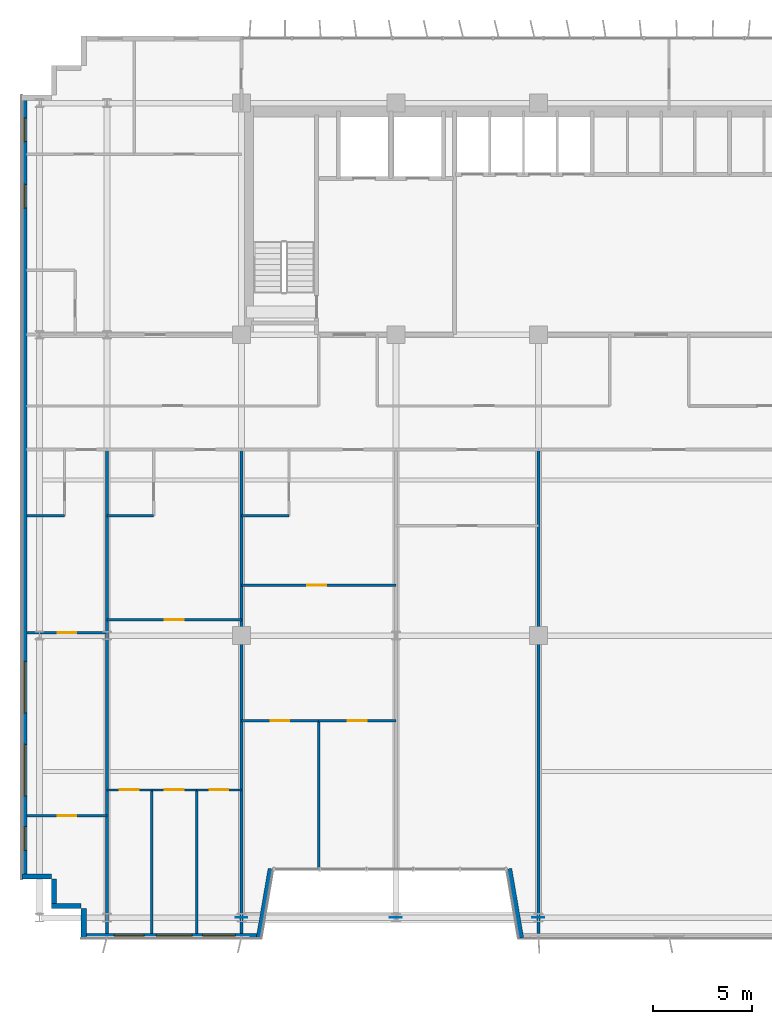
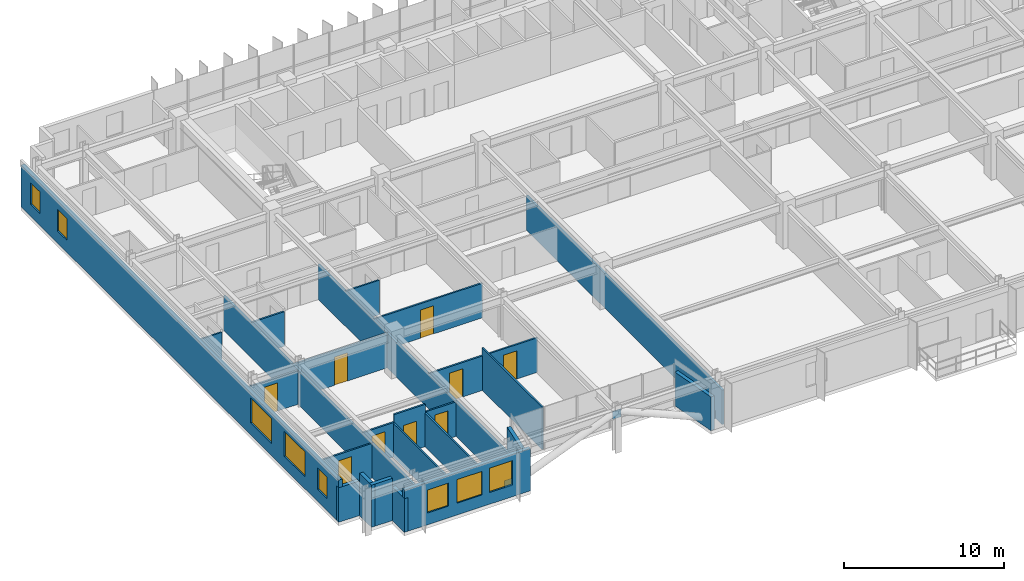
# One storey, part 18 of 25: 26 walls, 9 doors, 8 windows, 3 plates, 17 openings.
"""IFC4 building model written with IfcOpenShell, lengths in metres."""

from ifc_helpers import new_model, si_unit, direction, frame, frame_2d, origin, origin_2d, place, context, subcontext, project, spatial, rectangle, extrude, source, transform, mapped, material, layer, layer_set, type_object, element, fill, save


model = new_model("IFC4")

# Units and contexts
model_context = context("Model", 3, precision=1e-05, world=origin(), true_north=direction((0.0, 1.0)))
body_context = subcontext(model_context, "Body", "Model", "MODEL_VIEW")
ifc_project = project(units=[si_unit("LENGTHUNIT", "METRE"), si_unit("AREAUNIT", "SQUARE_METRE"), si_unit("VOLUMEUNIT", "CUBIC_METRE"), si_unit("PLANEANGLEUNIT", "RADIAN"), si_unit("MASSUNIT", "GRAM", prefix="KILO")], contexts=[model_context])

# Site, building, storey
site_placement = place(None, origin())
site = spatial("IfcSite", under=ifc_project, at=site_placement, CompositionType="ELEMENT")
building_placement = place(site_placement, origin())
building = spatial("IfcBuilding", under=site, at=building_placement, Name="Trelvane Seafront Commons", CompositionType="ELEMENT")
storey_placement = place(building_placement, frame((0.0, 0.0, 70.300048828125)))
storey = spatial("IfcBuildingStorey", under=building, at=storey_placement, Name="L18", CompositionType="ELEMENT", Elevation=70.300048828125)

# Plates
ifc_material_1 = material(Name="Steel SM355 (S355)", Category="steel")
ifc_layer_1 = layer(ifc_material_1, 0.031982421875, Name="STR-PLT-GUS2")
ifc_layer_set_1 = layer_set([ifc_layer_1], Name="Steel SM355 (S355)")
plate_type = type_object("IfcPlateType", Name="STR-PLT-GUS2", PredefinedType="SHEET", material=ifc_layer_set_1)
shared_shape_1 = source(origin(), body_context, "Body", "SweptSolid", [
    extrude(rectangle(XDim=0.60009765625, YDim=0.031982421875, at=origin_2d()), origin(), (0.0, 0.0, 1.0), 0.60009765625),
])
for number, where, z_axis, x_axis, name in (
    (1, (15.60009765625, 3.949951171875, -0.02001953125), (0.0, 0.0, 1.0), (1.0, 0.0, 0.0), "L18 Brace Connection Gusset Plate GP-168"),
    (2, (23.39990234375, 3.949951171875, 2.52001953125), (0.0, 0.0, 1.0), (1.0, 0.0, 0.0), "L18 Brace Connection Gusset Plate GP-169"),
    (3, (30.60009765625, 3.949951171875, -0.02001953125), (0.0, 0.0, 1.0), (1.0, 0.0, 0.0), "L18 Brace Connection Gusset Plate GP-170"),
):
    element("IfcPlate", number, at=place(storey_placement, frame(where, z_axis=z_axis, x_axis=x_axis)), inside=storey, type_object=plate_type, Name=name, PredefinedType="SHEET", context=body_context, shape_type="MappedRepresentation", body=[
        mapped(shared_shape_1, transform((0.0, 0.0, 0.0), x_axis=(1.0, 0.0, 0.0), y_axis=(0.0, 1.0, 0.0), z_axis=(0.0, 0.0, 1.0), scale=1.0)),
    ])

# Walls
ifc_material_2 = material(Name="Precast concrete C40/50", Category="concrete")
ifc_layer_2 = layer(ifc_material_2, 0.260009765625, Name="ARCH-WALL-EXT260")
ifc_layer_set_2 = layer_set([ifc_layer_2], Name="Precast concrete C40/50")
wall_type_1 = type_object("IfcWallType", Name="ARCH-WALL-EXT260", PredefinedType="SOLIDWALL", material=ifc_layer_set_2)
for number, where, z_axis, x_axis, name in (
    (4, (7.5, 4.530029296875, 0.0), (0.0, 0.0, 1.0), (-1.0, 0.0, 0.0), "EW-L18-00327"),
    (5, (6.1298828125, 4.39990234375, 0.0), (0.0, 0.0, 1.0), (0.0, 1.0, 0.0), "EW-L18-00328"),
):
    element("IfcWall", number, at=place(storey_placement, frame(where, z_axis=z_axis, x_axis=x_axis)), inside=storey, type_object=wall_type_1, Name=name, PredefinedType="SOLIDWALL", context=body_context, shape_type="SweptSolid", body=[
        extrude(rectangle(XDim=1.5, YDim=0.260009765625, at=frame_2d((0.75, 0.0))), origin(), (0.0, 0.0, 1.0), 3.219970703125),
    ])
wall_1_placement = place(storey_placement, frame((6.0, 6.030029296875, 0.0), z_axis=(0.0, 0.0, 1.0), x_axis=(-1.0, 0.0, 0.0)))
element("IfcWall", 6, at=wall_1_placement, inside=storey, type_object=wall_type_1, Name="EW-L18-00329", PredefinedType="SOLIDWALL", context=body_context, shape_type="SweptSolid", body=[
    extrude(rectangle(XDim=1.5, YDim=0.260009765625, at=frame_2d((0.75, 0.0))), origin(), (0.0, 0.0, 1.0), 2.6318359375),
])

# Wall, openings, windows
wall_2_placement = place(storey_placement, frame((4.6298828125, 5.89990234375, 0.0), z_axis=(0.0, 0.0, 1.0), x_axis=(0.0, 1.0, 0.0)))
wall_2 = element("IfcWall", 7, at=wall_2_placement, inside=storey, type_object=wall_type_1, Name="EW-L18-00330", PredefinedType="SOLIDWALL", context=body_context, shape_type="SweptSolid", body=[
    extrude(rectangle(XDim=39.60009765625, YDim=0.260009765625, at=frame_2d((19.800048828125, 0.0))), origin(), (0.0, 0.0, 1.0), 3.219970703125),
])
opening_1_placement = place(wall_2_placement, frame((1.449951171875, 0.0, 0.919921875)))
opening_1 = element("IfcOpeningElement", 8, at=opening_1_placement, cuts=wall_2, Name="Opening W05", PredefinedType="OPENING", context=body_context, shape_type="SweptSolid", body=[
    extrude(rectangle(XDim=1.199951171875, YDim=1.64990234375, at=frame_2d((0.60009765625, 0.824951171875))), frame((0.0, 0.139892578125, 0.0), z_axis=(0.0, -1.0, 0.0), x_axis=(1.0, 0.0, 0.0)), (0.0, 0.0, 1.0), 0.280029296875),
])
opening_2_placement = place(wall_2_placement, frame((4.199951171875, 0.0, 0.919921875)))
opening_2 = element("IfcOpeningElement", 9, at=opening_2_placement, cuts=wall_2, Name="Opening W04", PredefinedType="OPENING", context=body_context, shape_type="SweptSolid", body=[
    extrude(rectangle(XDim=2.60009765625, YDim=1.89990234375, at=frame_2d((1.300048828125, 0.949951171875))), frame((0.0, 0.139892578125, 0.0), z_axis=(0.0, -1.0, 0.0), x_axis=(1.0, 0.0, 0.0)), (0.0, 0.0, 1.0), 0.280029296875),
])
opening_3_placement = place(wall_2_placement, frame((8.39990234375, 0.0, 0.919921875)))
opening_3 = element("IfcOpeningElement", 10, at=opening_3_placement, cuts=wall_2, Name="Opening W04", PredefinedType="OPENING", context=body_context, shape_type="SweptSolid", body=[
    extrude(rectangle(XDim=2.60009765625, YDim=1.89990234375, at=frame_2d((1.300048828125, 0.949951171875))), frame((0.0, 0.139892578125, 0.0), z_axis=(0.0, -1.0, 0.0), x_axis=(1.0, 0.0, 0.0)), (0.0, 0.0, 1.0), 0.280029296875),
])
opening_4_placement = place(wall_2_placement, frame((33.89990234375, 0.0, 0.919921875)))
opening_4 = element("IfcOpeningElement", 11, at=opening_4_placement, cuts=wall_2, Name="Opening W05", PredefinedType="OPENING", context=body_context, shape_type="SweptSolid", body=[
    extrude(rectangle(XDim=1.199951171875, YDim=1.64990234375, at=frame_2d((0.60009765625, 0.824951171875))), frame((0.0, 0.139892578125, 0.0), z_axis=(0.0, -1.0, 0.0), x_axis=(1.0, 0.0, 0.0)), (0.0, 0.0, 1.0), 0.280029296875),
])
opening_5_placement = place(wall_2_placement, frame((37.25, 0.0, 0.919921875)))
opening_5 = element("IfcOpeningElement", 12, at=opening_5_placement, cuts=wall_2, Name="Opening W05", PredefinedType="OPENING", context=body_context, shape_type="SweptSolid", body=[
    extrude(rectangle(XDim=1.199951171875, YDim=1.64990234375, at=frame_2d((0.60009765625, 0.824951171875))), frame((0.0, 0.139892578125, 0.0), z_axis=(0.0, -1.0, 0.0), x_axis=(1.0, 0.0, 0.0)), (0.0, 0.0, 1.0), 0.280029296875),
])
ifc_material_3 = material(Name="Low-E coastal double glazing", Category="glass")
window_type_1 = type_object("IfcWindowType", Name="ARCH-WIN-W04", PartitioningType="SINGLE_PANEL", PredefinedType="WINDOW", material=ifc_material_3)
shared_shape_2 = source(origin(), body_context, "Body", "SweptSolid", [
    extrude(rectangle(XDim=2.60009765625, YDim=1.89990234375, at=frame_2d((1.300048828125, 0.949951171875))), frame((0.0, 0.030029296875, 0.0), z_axis=(0.0, -1.0, 0.0), x_axis=(1.0, 0.0, 0.0)), (0.0, 0.0, 1.0), 0.06005859375),
])
window_1_placement = place(opening_2_placement, origin())
window_1 = element("IfcWindow", 13, at=window_1_placement, inside=storey, type_object=window_type_1, Name="WIN-L18-EW-00379", OverallHeight=1.89990234375, OverallWidth=2.60009765625, PartitioningType="SINGLE_PANEL", PredefinedType="WINDOW", context=body_context, shape_type="MappedRepresentation", body=[
    mapped(shared_shape_2, transform((0.0, 0.0, 0.0), x_axis=(1.0, 0.0, 0.0), y_axis=(0.0, 1.0, 0.0), z_axis=(0.0, 0.0, 1.0), scale=1.0)),
])
fill(opening_2, window_1)
window_2_placement = place(opening_3_placement, origin())
window_2 = element("IfcWindow", 14, at=window_2_placement, inside=storey, type_object=window_type_1, Name="WIN-L18-EW-00380", OverallHeight=1.89990234375, OverallWidth=2.60009765625, PartitioningType="SINGLE_PANEL", PredefinedType="WINDOW", context=body_context, shape_type="MappedRepresentation", body=[
    mapped(shared_shape_2, transform((0.0, 0.0, 0.0), x_axis=(1.0, 0.0, 0.0), y_axis=(0.0, 1.0, 0.0), z_axis=(0.0, 0.0, 1.0), scale=1.0)),
])
fill(opening_3, window_2)
window_type_2 = type_object("IfcWindowType", Name="ARCH-WIN-W05", PartitioningType="SINGLE_PANEL", PredefinedType="WINDOW", material=ifc_material_3)
shared_shape_3 = source(origin(), body_context, "Body", "SweptSolid", [
    extrude(rectangle(XDim=1.199951171875, YDim=1.64990234375, at=frame_2d((0.60009765625, 0.824951171875))), frame((0.0, 0.030029296875, 0.0), z_axis=(0.0, -1.0, 0.0), x_axis=(1.0, 0.0, 0.0)), (0.0, 0.0, 1.0), 0.06005859375),
])
window_3_placement = place(opening_1_placement, origin())
window_3 = element("IfcWindow", 15, at=window_3_placement, inside=storey, type_object=window_type_2, Name="WIN-L18-EW-00378", OverallHeight=1.64990234375, OverallWidth=1.199951171875, PartitioningType="SINGLE_PANEL", PredefinedType="WINDOW", context=body_context, shape_type="MappedRepresentation", body=[
    mapped(shared_shape_3, transform((0.0, 0.0, 0.0), x_axis=(1.0, 0.0, 0.0), y_axis=(0.0, 1.0, 0.0), z_axis=(0.0, 0.0, 1.0), scale=1.0)),
])
fill(opening_1, window_3)
window_4_placement = place(opening_4_placement, origin())
window_4 = element("IfcWindow", 16, at=window_4_placement, inside=storey, type_object=window_type_2, Name="WIN-L18-EW-00381", OverallHeight=1.64990234375, OverallWidth=1.199951171875, PartitioningType="SINGLE_PANEL", PredefinedType="WINDOW", context=body_context, shape_type="MappedRepresentation", body=[
    mapped(shared_shape_3, transform((0.0, 0.0, 0.0), x_axis=(1.0, 0.0, 0.0), y_axis=(0.0, 1.0, 0.0), z_axis=(0.0, 0.0, 1.0), scale=1.0)),
])
fill(opening_4, window_4)
window_5_placement = place(opening_5_placement, origin())
window_5 = element("IfcWindow", 17, at=window_5_placement, inside=storey, type_object=window_type_2, Name="WIN-L18-EW-00382", OverallHeight=1.64990234375, OverallWidth=1.199951171875, PartitioningType="SINGLE_PANEL", PredefinedType="WINDOW", context=body_context, shape_type="MappedRepresentation", body=[
    mapped(shared_shape_3, transform((0.0, 0.0, 0.0), x_axis=(1.0, 0.0, 0.0), y_axis=(0.0, 1.0, 0.0), z_axis=(0.0, 0.0, 1.0), scale=1.0)),
])
fill(opening_5, window_5)

# Walls
for number, where, z_axis, x_axis, name in (
    (18, (29.72802734375, 2.922119140625, 0.0), (0.0, 0.0, 1.0), (-0.168923741424, 0.98562912375, 0.0), "EW-L18-00345"),
    (19, (17.072021484375, 6.422119140625, 0.0), (0.0, 0.0, 1.0), (-0.168990530437, -0.98561767467, 0.0), "EW-L18-00346"),
):
    element("IfcWall", number, at=place(storey_placement, frame(where, z_axis=z_axis, x_axis=x_axis)), inside=storey, type_object=wall_type_1, Name=name, PredefinedType="SOLIDWALL", context=body_context, shape_type="SweptSolid", body=[
        extrude(rectangle(XDim=3.551025390625, YDim=0.260009765625, at=frame_2d((1.775390625, 0.0))), origin(), (0.0, 0.0, 1.0), 2.570068359375),
    ])

# Wall, openings, windows
wall_3_placement = place(storey_placement, frame((16.60009765625, 3.030029296875, 0.0), z_axis=(0.0, 0.0, 1.0), x_axis=(-1.0, 0.0, 0.0)))
wall_3 = element("IfcWall", 20, at=wall_3_placement, inside=storey, type_object=wall_type_1, Name="EW-L18-00347", PredefinedType="SOLIDWALL", context=body_context, shape_type="SweptSolid", body=[
    extrude(rectangle(XDim=9.10009765625, YDim=0.260009765625, at=frame_2d((4.550048828125, 0.0))), origin(), (0.0, 0.0, 1.0), 3.219970703125),
])
opening_6_placement = place(wall_3_placement, frame((1.30810546875, 0.0, 0.89990234375)))
opening_6 = element("IfcOpeningElement", 21, at=opening_6_placement, cuts=wall_3, Name="Opening W07", PredefinedType="OPENING", context=body_context, shape_type="SweptSolid", body=[
    extrude(rectangle(XDim=1.64990234375, YDim=1.85009765625, at=frame_2d((0.824951171875, 0.925048828125))), frame((0.0, 0.139892578125, 0.0), z_axis=(0.0, -1.0, 0.0), x_axis=(1.0, 0.0, 0.0)), (0.0, 0.0, 1.0), 0.280029296875),
])
opening_7_placement = place(wall_3_placement, frame((3.5, 0.0, 0.89990234375)))
opening_7 = element("IfcOpeningElement", 22, at=opening_7_placement, cuts=wall_3, Name="Opening W01", PredefinedType="OPENING", context=body_context, shape_type="SweptSolid", body=[
    extrude(rectangle(XDim=1.800048828125, YDim=1.800048828125, at=frame_2d((0.89990234375, 0.89990234375))), frame((0.0, 0.139892578125, 0.0), z_axis=(0.0, -1.0, 0.0), x_axis=(1.0, 0.0, 0.0)), (0.0, 0.0, 1.0), 0.280029296875),
])
opening_8_placement = place(wall_3_placement, frame((5.9169921875, 0.0, 0.89990234375)))
opening_8 = element("IfcOpeningElement", 23, at=opening_8_placement, cuts=wall_3, Name="Opening W03", PredefinedType="OPENING", context=body_context, shape_type="SweptSolid", body=[
    extrude(rectangle(XDim=1.5, YDim=1.75, at=frame_2d((0.75, 0.875))), frame((0.0, 0.139892578125, 0.0), z_axis=(0.0, -1.0, 0.0), x_axis=(1.0, 0.0, 0.0)), (0.0, 0.0, 1.0), 0.280029296875),
])
window_type_3 = type_object("IfcWindowType", Name="ARCH-WIN-W03", PartitioningType="SINGLE_PANEL", PredefinedType="WINDOW", material=ifc_material_3)
shared_shape_4 = source(origin(), body_context, "Body", "SweptSolid", [
    extrude(rectangle(XDim=1.5, YDim=1.75, at=frame_2d((0.75, 0.875))), frame((0.0, 0.030029296875, 0.0), z_axis=(0.0, -1.0, 0.0), x_axis=(1.0, 0.0, 0.0)), (0.0, 0.0, 1.0), 0.06005859375),
])
window_6_placement = place(opening_8_placement, origin())
window_6 = element("IfcWindow", 24, at=window_6_placement, inside=storey, type_object=window_type_3, Name="WIN-L18-00394", OverallHeight=1.75, OverallWidth=1.5, PartitioningType="SINGLE_PANEL", PredefinedType="WINDOW", context=body_context, shape_type="MappedRepresentation", body=[
    mapped(shared_shape_4, transform((0.0, 0.0, 0.0), x_axis=(1.0, 0.0, 0.0), y_axis=(0.0, 1.0, 0.0), z_axis=(0.0, 0.0, 1.0), scale=1.0)),
])
fill(opening_8, window_6)
window_type_4 = type_object("IfcWindowType", Name="ARCH-WIN-W01", PartitioningType="SINGLE_PANEL", PredefinedType="WINDOW", material=ifc_material_3)
shared_shape_5 = source(origin(), body_context, "Body", "SweptSolid", [
    extrude(rectangle(XDim=1.800048828125, YDim=1.800048828125, at=frame_2d((0.89990234375, 0.89990234375))), frame((0.0, 0.030029296875, 0.0), z_axis=(0.0, -1.0, 0.0), x_axis=(1.0, 0.0, 0.0)), (0.0, 0.0, 1.0), 0.06005859375),
])
window_7_placement = place(opening_7_placement, origin())
window_7 = element("IfcWindow", 25, at=window_7_placement, inside=storey, type_object=window_type_4, Name="WIN-L18-00393", OverallHeight=1.800048828125, OverallWidth=1.800048828125, PartitioningType="SINGLE_PANEL", PredefinedType="WINDOW", context=body_context, shape_type="MappedRepresentation", body=[
    mapped(shared_shape_5, transform((0.0, 0.0, 0.0), x_axis=(1.0, 0.0, 0.0), y_axis=(0.0, 1.0, 0.0), z_axis=(0.0, 0.0, 1.0), scale=1.0)),
])
fill(opening_7, window_7)
window_type_5 = type_object("IfcWindowType", Name="ARCH-WIN-W07", PartitioningType="SINGLE_PANEL", PredefinedType="WINDOW", material=ifc_material_3)
shared_shape_6 = source(origin(), body_context, "Body", "SweptSolid", [
    extrude(rectangle(XDim=1.64990234375, YDim=1.85009765625, at=frame_2d((0.824951171875, 0.925048828125))), frame((0.0, 0.030029296875, 0.0), z_axis=(0.0, -1.0, 0.0), x_axis=(1.0, 0.0, 0.0)), (0.0, 0.0, 1.0), 0.06005859375),
])
window_8_placement = place(opening_6_placement, origin())
window_8 = element("IfcWindow", 26, at=window_8_placement, inside=storey, type_object=window_type_5, Name="WIN-L18-00392", OverallHeight=1.85009765625, OverallWidth=1.64990234375, PartitioningType="SINGLE_PANEL", PredefinedType="WINDOW", context=body_context, shape_type="MappedRepresentation", body=[
    mapped(shared_shape_6, transform((0.0, 0.0, 0.0), x_axis=(1.0, 0.0, 0.0), y_axis=(0.0, 1.0, 0.0), z_axis=(0.0, 0.0, 1.0), scale=1.0)),
])
fill(opening_6, window_8)

# Wall
wall_4_placement = place(storey_placement, frame((7.6298828125, 2.89990234375, 0.0), z_axis=(0.0, 0.0, 1.0), x_axis=(0.0, 1.0, 0.0)))
element("IfcWall", 27, at=wall_4_placement, inside=storey, type_object=wall_type_1, Name="EW-L18-00348", PredefinedType="SOLIDWALL", context=body_context, shape_type="SweptSolid", body=[
    extrude(rectangle(XDim=1.5, YDim=0.260009765625, at=frame_2d((0.75, 0.0))), origin(), (0.0, 0.0, 1.0), 2.570068359375),
])

# Wall, opening, door
ifc_material_4 = material(Name="Gypsum Drywall Acoustic Partition")
ifc_layer_3 = layer(ifc_material_4, 0.1201171875, Name="ARCH-WALL-PART120")
ifc_layer_set_3 = layer_set([ifc_layer_3], Name="Gypsum Drywall Acoustic Partition")
wall_type_2 = type_object("IfcWallType", Name="ARCH-WALL-PART120", PredefinedType="PARTITIONING", material=ifc_layer_set_3)
wall_5_placement = place(storey_placement, frame((4.760009765625, 18.35009765625, 0.0), z_axis=(0.0, 0.0, 1.0), x_axis=(1.0, 0.0, 0.0)))
wall_5 = element("IfcWall", 28, at=wall_5_placement, inside=storey, type_object=wall_type_2, Name="W-L18-U1-KL-067", PredefinedType="PARTITIONING", context=body_context, shape_type="SweptSolid", body=[
    extrude(rectangle(XDim=4.0400390625, YDim=0.1201171875, at=frame_2d((2.02001953125, 0.0))), origin(), (0.0, 0.0, 1.0), 2.570068359375),
])
opening_9_placement = place(wall_5_placement, frame((1.544921875, 0.0, 0.0)))
opening_9 = element("IfcOpeningElement", 29, at=opening_9_placement, cuts=wall_5, Name="Opening D-L18-32", PredefinedType="OPENING", context=body_context, shape_type="SweptSolid", body=[
    extrude(rectangle(XDim=0.949951171875, YDim=2.14990234375, at=frame_2d((0.47509765625, 1.074951171875))), frame((0.0, 0.070068359375, 0.0), z_axis=(0.0, -1.0, 0.0), x_axis=(1.0, 0.0, 0.0)), (0.0, 0.0, 1.0), 0.14013671875),
])
ifc_material_5 = material(Name="Acoustic timber door leaf", Category="wood")
door_type = type_object("IfcDoorType", Name="ARCH-DR-INT950", OperationType="NOTDEFINED", PredefinedType="DOOR", material=ifc_material_5)
shared_shape_7 = source(origin(), body_context, "Body", "SweptSolid", [
    extrude(rectangle(XDim=0.949951171875, YDim=2.14990234375, at=frame_2d((0.47509765625, 1.074951171875))), frame((0.0, 0.02490234375, 0.0), z_axis=(0.0, -1.0, 0.0), x_axis=(1.0, 0.0, 0.0)), (0.0, 0.0, 1.0), 0.050048828125),
])
door_1_placement = place(opening_9_placement, origin())
door_1 = element("IfcDoor", 30, at=door_1_placement, inside=storey, type_object=door_type, Name="L18 Door 32", OperationType="SINGLE_SWING_RIGHT", OverallHeight=2.14990234375, OverallWidth=0.949951171875, PredefinedType="DOOR", context=body_context, shape_type="MappedRepresentation", body=[
    mapped(shared_shape_7, transform((0.0, 0.0, 0.0), x_axis=(1.0, 0.0, 0.0), y_axis=(0.0, 1.0, 0.0), z_axis=(0.0, 0.0, 1.0), scale=1.0)),
])
fill(opening_9, door_1)

# Wall
wall_6_placement = place(storey_placement, frame((4.760009765625, 24.25, 0.0), z_axis=(0.0, 0.0, 1.0), x_axis=(1.0, 0.0, 0.0)))
element("IfcWall", 31, at=wall_6_placement, inside=storey, type_object=wall_type_2, Name="W-L18-U1-BS-069", PredefinedType="PARTITIONING", context=body_context, shape_type="SweptSolid", body=[
    extrude(rectangle(XDim=1.89990234375, YDim=0.1201171875, at=frame_2d((0.949951171875, 0.0))), origin(), (0.0, 0.0, 1.0), 2.6318359375),
])

# Wall, opening, door
wall_7_placement = place(storey_placement, frame((4.760009765625, 9.10009765625, 0.0), z_axis=(0.0, 0.0, 1.0), x_axis=(1.0, 0.0, 0.0)))
wall_7 = element("IfcWall", 32, at=wall_7_placement, inside=storey, type_object=wall_type_2, Name="W-L18-U1-YM-1-071", PredefinedType="PARTITIONING", context=body_context, shape_type="SweptSolid", body=[
    extrude(rectangle(XDim=4.0400390625, YDim=0.1201171875, at=frame_2d((2.02001953125, 0.0))), origin(), (0.0, 0.0, 1.0), 2.6318359375),
])
opening_10_placement = place(wall_7_placement, frame((1.544921875, 0.0, 0.0)))
opening_10 = element("IfcOpeningElement", 33, at=opening_10_placement, cuts=wall_7, Name="Opening D-L18-35", PredefinedType="OPENING", context=body_context, shape_type="SweptSolid", body=[
    extrude(rectangle(XDim=0.949951171875, YDim=2.14990234375, at=frame_2d((0.47509765625, 1.074951171875))), frame((0.0, 0.070068359375, 0.0), z_axis=(0.0, -1.0, 0.0), x_axis=(1.0, 0.0, 0.0)), (0.0, 0.0, 1.0), 0.14013671875),
])
door_2_placement = place(opening_10_placement, origin())
door_2 = element("IfcDoor", 34, at=door_2_placement, inside=storey, type_object=door_type, Name="L18 Door 35", OperationType="SINGLE_SWING_LEFT", OverallHeight=2.14990234375, OverallWidth=0.949951171875, PredefinedType="DOOR", context=body_context, shape_type="MappedRepresentation", body=[
    mapped(shared_shape_7, transform((0.0, 0.0, 0.0), x_axis=(1.0, 0.0, 0.0), y_axis=(0.0, 1.0, 0.0), z_axis=(0.0, 0.0, 1.0), scale=1.0)),
])
fill(opening_10, door_2)

wall_8_placement = place(storey_placement, frame((8.800048828125, 19.0, 0.0), z_axis=(0.0, 0.0, 1.0), x_axis=(1.0, 0.0, 0.0)))
wall_8 = element("IfcWall", 35, at=wall_8_placement, inside=storey, type_object=wall_type_2, Name="W-L18-U2-KL-072", PredefinedType="PARTITIONING", context=body_context, shape_type="SweptSolid", body=[
    extrude(rectangle(XDim=6.800048828125, YDim=0.1201171875, at=frame_2d((3.39990234375, 0.0))), origin(), (0.0, 0.0, 1.0), 2.6318359375),
])
opening_11_placement = place(wall_8_placement, frame((2.925048828125, 0.0, 0.0)))
opening_11 = element("IfcOpeningElement", 36, at=opening_11_placement, cuts=wall_8, Name="Opening D-L18-36", PredefinedType="OPENING", context=body_context, shape_type="SweptSolid", body=[
    extrude(rectangle(XDim=0.949951171875, YDim=2.14990234375, at=frame_2d((0.47509765625, 1.074951171875))), frame((0.0, 0.070068359375, 0.0), z_axis=(0.0, -1.0, 0.0), x_axis=(1.0, 0.0, 0.0)), (0.0, 0.0, 1.0), 0.14013671875),
])
door_3_placement = place(opening_11_placement, origin())
door_3 = element("IfcDoor", 37, at=door_3_placement, inside=storey, type_object=door_type, Name="L18 Door 36", OperationType="SINGLE_SWING_RIGHT", OverallHeight=2.14990234375, OverallWidth=0.949951171875, PredefinedType="DOOR", context=body_context, shape_type="MappedRepresentation", body=[
    mapped(shared_shape_7, transform((0.0, 0.0, 0.0), x_axis=(1.0, 0.0, 0.0), y_axis=(0.0, 1.0, 0.0), z_axis=(0.0, 0.0, 1.0), scale=1.0)),
])
fill(opening_11, door_3)

# Wall
wall_9_placement = place(storey_placement, frame((8.800048828125, 24.25, 0.0), z_axis=(0.0, 0.0, 1.0), x_axis=(1.0, 0.0, 0.0)))
element("IfcWall", 38, at=wall_9_placement, inside=storey, type_object=wall_type_2, Name="W-L18-U2-BS-074", PredefinedType="PARTITIONING", context=body_context, shape_type="SweptSolid", body=[
    extrude(rectangle(XDim=2.362060546875, YDim=0.1201171875, at=frame_2d((1.18115234375, 0.0))), origin(), (0.0, 0.0, 1.0), 2.6318359375),
])

# Wall, opening, door
wall_10_placement = place(storey_placement, frame((8.800048828125, 10.39990234375, 0.0), z_axis=(0.0, 0.0, 1.0), x_axis=(1.0, 0.0, 0.0)))
wall_10 = element("IfcWall", 39, at=wall_10_placement, inside=storey, type_object=wall_type_2, Name="W-L18-U2-YM-1-076", PredefinedType="PARTITIONING", context=body_context, shape_type="SweptSolid", body=[
    extrude(rectangle(XDim=2.266845703125, YDim=0.1201171875, at=frame_2d((1.13330078125, 0.0))), origin(), (0.0, 0.0, 1.0), 2.6318359375),
])
opening_12_placement = place(wall_10_placement, frame((0.657958984375, 0.0, 0.0)))
opening_12 = element("IfcOpeningElement", 40, at=opening_12_placement, cuts=wall_10, Name="Opening D-L18-39", PredefinedType="OPENING", context=body_context, shape_type="SweptSolid", body=[
    extrude(rectangle(XDim=0.949951171875, YDim=2.14990234375, at=frame_2d((0.47509765625, 1.074951171875))), frame((0.0, 0.070068359375, 0.0), z_axis=(0.0, -1.0, 0.0), x_axis=(1.0, 0.0, 0.0)), (0.0, 0.0, 1.0), 0.14013671875),
])
door_4_placement = place(opening_12_placement, origin())
door_4 = element("IfcDoor", 41, at=door_4_placement, inside=storey, type_object=door_type, Name="L18 Door 39", OperationType="SINGLE_SWING_LEFT", OverallHeight=2.14990234375, OverallWidth=0.949951171875, PredefinedType="DOOR", context=body_context, shape_type="MappedRepresentation", body=[
    mapped(shared_shape_7, transform((0.0, 0.0, 0.0), x_axis=(1.0, 0.0, 0.0), y_axis=(0.0, 1.0, 0.0), z_axis=(0.0, 0.0, 1.0), scale=1.0)),
])
fill(opening_12, door_4)

wall_11_placement = place(storey_placement, frame((11.06689453125, 10.39990234375, 0.0), z_axis=(0.0, 0.0, 1.0), x_axis=(1.0, 0.0, 0.0)))
wall_11 = element("IfcWall", 42, at=wall_11_placement, inside=storey, type_object=wall_type_2, Name="W-L18-U2-YM-2-077", PredefinedType="PARTITIONING", context=body_context, shape_type="SweptSolid", body=[
    extrude(rectangle(XDim=2.26611328125, YDim=0.1201171875, at=frame_2d((1.133056640625, 0.0))), origin(), (0.0, 0.0, 1.0), 3.219970703125),
])
opening_13_placement = place(wall_11_placement, frame((0.657958984375, 0.0, 0.0)))
opening_13 = element("IfcOpeningElement", 43, at=opening_13_placement, cuts=wall_11, Name="Opening D-L18-40", PredefinedType="OPENING", context=body_context, shape_type="SweptSolid", body=[
    extrude(rectangle(XDim=0.949951171875, YDim=2.14990234375, at=frame_2d((0.47509765625, 1.074951171875))), frame((0.0, 0.070068359375, 0.0), z_axis=(0.0, -1.0, 0.0), x_axis=(1.0, 0.0, 0.0)), (0.0, 0.0, 1.0), 0.14013671875),
])
door_5_placement = place(opening_13_placement, origin())
door_5 = element("IfcDoor", 44, at=door_5_placement, inside=storey, type_object=door_type, Name="L18 Door 40", OperationType="SINGLE_SWING_RIGHT", OverallHeight=2.14990234375, OverallWidth=0.949951171875, PredefinedType="DOOR", context=body_context, shape_type="MappedRepresentation", body=[
    mapped(shared_shape_7, transform((0.0, 0.0, 0.0), x_axis=(1.0, 0.0, 0.0), y_axis=(0.0, 1.0, 0.0), z_axis=(0.0, 0.0, 1.0), scale=1.0)),
])
fill(opening_13, door_5)

# Wall
wall_12_placement = place(storey_placement, frame((11.06689453125, 3.14501953125, 0.0), z_axis=(0.0, 0.0, 1.0), x_axis=(0.0, 1.0, 0.0)))
element("IfcWall", 45, at=wall_12_placement, inside=storey, type_object=wall_type_2, Name="W-L18-U2-BDV-1-078", PredefinedType="PARTITIONING", context=body_context, shape_type="SweptSolid", body=[
    extrude(rectangle(XDim=7.2548828125, YDim=0.1201171875, at=frame_2d((3.62744140625, 0.0))), origin(), (0.0, 0.0, 1.0), 2.570068359375),
])

# Wall, opening, door
wall_13_placement = place(storey_placement, frame((13.3330078125, 10.39990234375, 0.0), z_axis=(0.0, 0.0, 1.0), x_axis=(1.0, 0.0, 0.0)))
wall_13 = element("IfcWall", 46, at=wall_13_placement, inside=storey, type_object=wall_type_2, Name="W-L18-U2-YM-3-079", PredefinedType="PARTITIONING", context=body_context, shape_type="SweptSolid", body=[
    extrude(rectangle(XDim=2.26708984375, YDim=0.1201171875, at=frame_2d((1.133544921875, 0.0))), origin(), (0.0, 0.0, 1.0), 2.6318359375),
])
opening_14_placement = place(wall_13_placement, frame((0.657958984375, 0.0, 0.0)))
opening_14 = element("IfcOpeningElement", 47, at=opening_14_placement, cuts=wall_13, Name="Opening D-L18-41", PredefinedType="OPENING", context=body_context, shape_type="SweptSolid", body=[
    extrude(rectangle(XDim=0.949951171875, YDim=2.14990234375, at=frame_2d((0.47509765625, 1.074951171875))), frame((0.0, 0.070068359375, 0.0), z_axis=(0.0, -1.0, 0.0), x_axis=(1.0, 0.0, 0.0)), (0.0, 0.0, 1.0), 0.14013671875),
])
door_6_placement = place(opening_14_placement, origin())
door_6 = element("IfcDoor", 48, at=door_6_placement, inside=storey, type_object=door_type, Name="L18 Door 41", OperationType="SINGLE_SWING_LEFT", OverallHeight=2.14990234375, OverallWidth=0.949951171875, PredefinedType="DOOR", context=body_context, shape_type="MappedRepresentation", body=[
    mapped(shared_shape_7, transform((0.0, 0.0, 0.0), x_axis=(1.0, 0.0, 0.0), y_axis=(0.0, 1.0, 0.0), z_axis=(0.0, 0.0, 1.0), scale=1.0)),
])
fill(opening_14, door_6)

# Wall
wall_14_placement = place(storey_placement, frame((13.3330078125, 3.14501953125, 0.0), z_axis=(0.0, 0.0, 1.0), x_axis=(0.0, 1.0, 0.0)))
element("IfcWall", 49, at=wall_14_placement, inside=storey, type_object=wall_type_2, Name="W-L18-U2-BDV-2-080", PredefinedType="PARTITIONING", context=body_context, shape_type="SweptSolid", body=[
    extrude(rectangle(XDim=7.2548828125, YDim=0.1201171875, at=frame_2d((3.62744140625, 0.0))), origin(), (0.0, 0.0, 1.0), 2.570068359375),
])

# Wall, opening, door
wall_15_placement = place(storey_placement, frame((15.60009765625, 20.75, 0.0), z_axis=(0.0, 0.0, 1.0), x_axis=(1.0, 0.0, 0.0)))
wall_15 = element("IfcWall", 50, at=wall_15_placement, inside=storey, type_object=wall_type_2, Name="W-L18-U3-KL-081", PredefinedType="PARTITIONING", context=body_context, shape_type="SweptSolid", body=[
    extrude(rectangle(XDim=7.7998046875, YDim=0.1201171875, at=frame_2d((3.89990234375, 0.0))), origin(), (0.0, 0.0, 1.0), 2.6318359375),
])
opening_15_placement = place(wall_15_placement, frame((3.3330078125, 0.0, 0.0)))
opening_15 = element("IfcOpeningElement", 51, at=opening_15_placement, cuts=wall_15, Name="Opening D-L18-42", PredefinedType="OPENING", context=body_context, shape_type="SweptSolid", body=[
    extrude(rectangle(XDim=0.949951171875, YDim=2.14990234375, at=frame_2d((0.47509765625, 1.074951171875))), frame((0.0, 0.070068359375, 0.0), z_axis=(0.0, -1.0, 0.0), x_axis=(1.0, 0.0, 0.0)), (0.0, 0.0, 1.0), 0.14013671875),
])
door_7_placement = place(opening_15_placement, origin())
door_7 = element("IfcDoor", 52, at=door_7_placement, inside=storey, type_object=door_type, Name="L18 Door 42", OperationType="SINGLE_SWING_RIGHT", OverallHeight=2.14990234375, OverallWidth=0.949951171875, PredefinedType="DOOR", context=body_context, shape_type="MappedRepresentation", body=[
    mapped(shared_shape_7, transform((0.0, 0.0, 0.0), x_axis=(1.0, 0.0, 0.0), y_axis=(0.0, 1.0, 0.0), z_axis=(0.0, 0.0, 1.0), scale=1.0)),
])
fill(opening_15, door_7)

# Wall
wall_16_placement = place(storey_placement, frame((15.60009765625, 24.25, 0.0), z_axis=(0.0, 0.0, 1.0), x_axis=(1.0, 0.0, 0.0)))
element("IfcWall", 53, at=wall_16_placement, inside=storey, type_object=wall_type_2, Name="W-L18-U3-BS-083", PredefinedType="PARTITIONING", context=body_context, shape_type="SweptSolid", body=[
    extrude(rectangle(XDim=2.39990234375, YDim=0.1201171875, at=frame_2d((1.199951171875, 0.0))), origin(), (0.0, 0.0, 1.0), 2.6318359375),
])

# Wall, opening, door
wall_17_placement = place(storey_placement, frame((15.60009765625, 13.89990234375, 0.0), z_axis=(0.0, 0.0, 1.0), x_axis=(1.0, 0.0, 0.0)))
wall_17 = element("IfcWall", 54, at=wall_17_placement, inside=storey, type_object=wall_type_2, Name="W-L18-U3-YM-1-085", PredefinedType="PARTITIONING", context=body_context, shape_type="SweptSolid", body=[
    extrude(rectangle(XDim=3.89990234375, YDim=0.1201171875, at=frame_2d((1.949951171875, 0.0))), origin(), (0.0, 0.0, 1.0), 2.6318359375),
])
opening_16_placement = place(wall_17_placement, frame((1.47509765625, 0.0, 0.0)))
opening_16 = element("IfcOpeningElement", 55, at=opening_16_placement, cuts=wall_17, Name="Opening D-L18-45", PredefinedType="OPENING", context=body_context, shape_type="SweptSolid", body=[
    extrude(rectangle(XDim=0.949951171875, YDim=2.14990234375, at=frame_2d((0.47509765625, 1.074951171875))), frame((0.0, 0.070068359375, 0.0), z_axis=(0.0, -1.0, 0.0), x_axis=(1.0, 0.0, 0.0)), (0.0, 0.0, 1.0), 0.14013671875),
])
door_8_placement = place(opening_16_placement, origin())
door_8 = element("IfcDoor", 56, at=door_8_placement, inside=storey, type_object=door_type, Name="L18 Door 45", OperationType="SINGLE_SWING_LEFT", OverallHeight=2.14990234375, OverallWidth=0.949951171875, PredefinedType="DOOR", context=body_context, shape_type="MappedRepresentation", body=[
    mapped(shared_shape_7, transform((0.0, 0.0, 0.0), x_axis=(1.0, 0.0, 0.0), y_axis=(0.0, 1.0, 0.0), z_axis=(0.0, 0.0, 1.0), scale=1.0)),
])
fill(opening_16, door_8)

wall_18_placement = place(storey_placement, frame((19.5, 13.89990234375, 0.0), z_axis=(0.0, 0.0, 1.0), x_axis=(1.0, 0.0, 0.0)))
wall_18 = element("IfcWall", 57, at=wall_18_placement, inside=storey, type_object=wall_type_2, Name="W-L18-U3-YM-2-086", PredefinedType="PARTITIONING", context=body_context, shape_type="SweptSolid", body=[
    extrude(rectangle(XDim=3.89990234375, YDim=0.1201171875, at=frame_2d((1.949951171875, 0.0))), origin(), (0.0, 0.0, 1.0), 2.6318359375),
])
opening_17_placement = place(wall_18_placement, frame((1.47509765625, 0.0, 0.0)))
opening_17 = element("IfcOpeningElement", 58, at=opening_17_placement, cuts=wall_18, Name="Opening D-L18-46", PredefinedType="OPENING", context=body_context, shape_type="SweptSolid", body=[
    extrude(rectangle(XDim=0.949951171875, YDim=2.14990234375, at=frame_2d((0.47509765625, 1.074951171875))), frame((0.0, 0.070068359375, 0.0), z_axis=(0.0, -1.0, 0.0), x_axis=(1.0, 0.0, 0.0)), (0.0, 0.0, 1.0), 0.14013671875),
])
door_9_placement = place(opening_17_placement, origin())
door_9 = element("IfcDoor", 59, at=door_9_placement, inside=storey, type_object=door_type, Name="L18 Door 46", OperationType="SINGLE_SWING_RIGHT", OverallHeight=2.14990234375, OverallWidth=0.949951171875, PredefinedType="DOOR", context=body_context, shape_type="MappedRepresentation", body=[
    mapped(shared_shape_7, transform((0.0, 0.0, 0.0), x_axis=(1.0, 0.0, 0.0), y_axis=(0.0, 1.0, 0.0), z_axis=(0.0, 0.0, 1.0), scale=1.0)),
])
fill(opening_17, door_9)

# Walls
wall_19_placement = place(storey_placement, frame((19.5, 6.409912109375, 0.0), z_axis=(0.0, 0.0, 1.0), x_axis=(0.0, 1.0, 0.0)))
element("IfcWall", 60, at=wall_19_placement, inside=storey, type_object=wall_type_2, Name="W-L18-U3-BDV-1-087", PredefinedType="PARTITIONING", context=body_context, shape_type="SweptSolid", body=[
    extrude(rectangle(XDim=7.489990234375, YDim=0.1201171875, at=frame_2d((3.7451171875, 0.0))), origin(), (0.0, 0.0, 1.0), 3.219970703125),
])
ifc_layer_4 = layer(ifc_material_4, 0.14990234375, Name="ARCH-WALL-PART150")
ifc_layer_set_4 = layer_set([ifc_layer_4], Name="Gypsum Drywall Acoustic Partition")
wall_type_3 = type_object("IfcWallType", Name="ARCH-WALL-PART150", PredefinedType="PARTITIONING", material=ifc_layer_set_4)
for number, where, z_axis, x_axis, name in (
    (61, (8.800048828125, 3.14501953125, 0.0), (0.0, 0.0, 1.0), (0.0, 1.0, 0.0), "W-L18-PW-1-060"),
    (62, (15.60009765625, 3.14501953125, 0.0), (0.0, 0.0, 1.0), (0.0, 1.0, 0.0), "W-L18-PW-2-061"),
    (63, (30.60009765625, 3.14501953125, 0.0), (0.0, 0.0, 1.0), (0.0, 1.0, 0.0), "W-L18-PW-4-063"),
):
    element("IfcWall", number, at=place(storey_placement, frame(where, z_axis=z_axis, x_axis=x_axis)), inside=storey, type_object=wall_type_3, Name=name, PredefinedType="PARTITIONING", context=body_context, shape_type="SweptSolid", body=[
        extrude(rectangle(XDim=24.455078125, YDim=0.14990234375, at=frame_2d((12.2275390625, 0.0))), origin(), (0.0, 0.0, 1.0), 2.6318359375),
    ])

save(model, "model.ifc")
